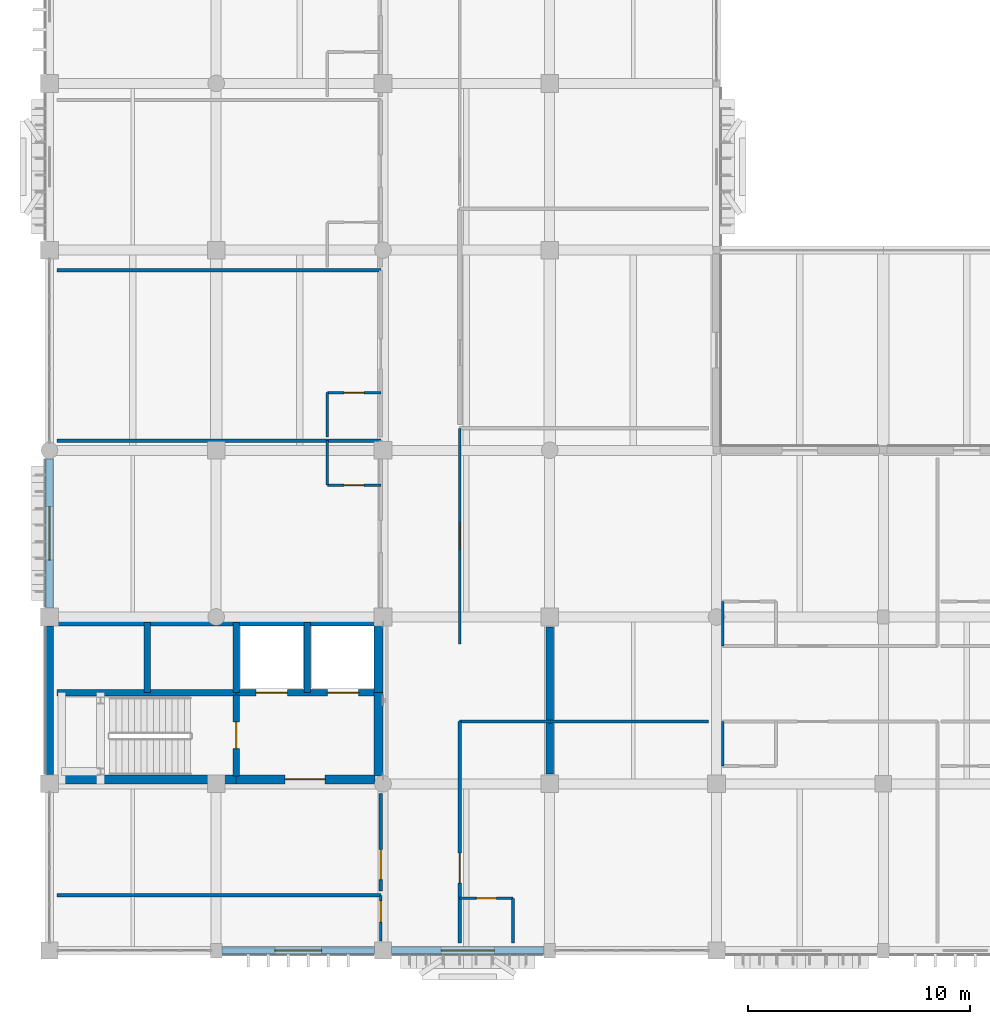
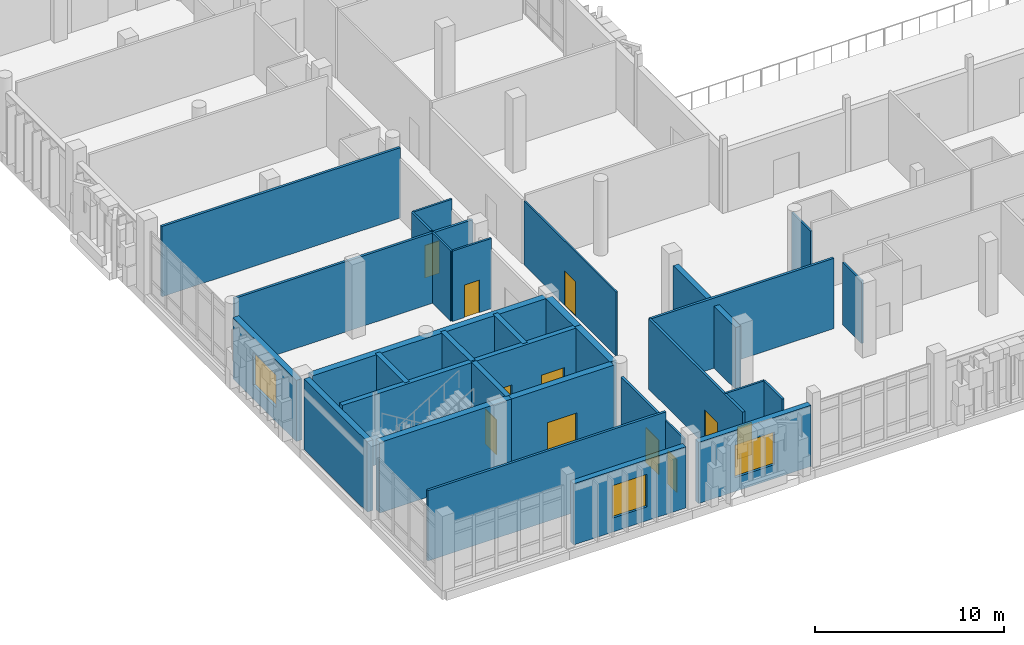
# One storey, part 98 of 131: 32 walls, 11 doors, 3 windows, 14 openings.
"""IFC4 building model written with IfcOpenShell, lengths in metres."""

from ifc_helpers import new_model, si_unit, direction, frame, frame_2d, origin, place, context, subcontext, project, spatial, rectangle, extrude, material, layer, layer_set, type_object, element, fill, save


model = new_model("IFC4")

# Units and contexts
model_context = context("Model", 3, precision=1e-05, world=origin(), true_north=direction((0.0, 1.0)))
body_context = subcontext(model_context, "Body", "Model", "MODEL_VIEW")
ifc_project = project(units=[si_unit("LENGTHUNIT", "METRE"), si_unit("AREAUNIT", "SQUARE_METRE"), si_unit("VOLUMEUNIT", "CUBIC_METRE"), si_unit("PLANEANGLEUNIT", "RADIAN"), si_unit("MASSUNIT", "GRAM", prefix="KILO")], contexts=[model_context])

# Site, building, storey
site_placement = place(None, origin())
site = spatial("IfcSite", under=ifc_project, at=site_placement, CompositionType="ELEMENT")
building_placement = place(site_placement, origin())
building = spatial("IfcBuilding", under=site, at=building_placement, Name="Dalvernix Boulevard General Hospital", CompositionType="ELEMENT")
storey_placement = place(building_placement, frame((0.0, 0.0, 9.300048828125)))
storey = spatial("IfcBuildingStorey", under=building, at=storey_placement, Name="L02", CompositionType="ELEMENT", Elevation=9.300048828125)

# Wall
ifc_material_1 = material(Name="Concrete C40/50", Category="concrete")
ifc_layer_1 = layer(ifc_material_1, 0.39990234375)
ifc_layer_set_1 = layer_set([ifc_layer_1], Name="Concrete C40/50 (WAL-CSW-01)")
wall_type_1 = type_object("IfcWallType", Name="WAL-CSW-01", PredefinedType="SHEAR", material=ifc_layer_set_1)
wall_1_placement = place(storey_placement, frame((0.35009765625, 7.699951171875, 0.0), z_axis=(0.0, 0.0, 1.0), x_axis=(1.0, 0.0, 0.0)))
element("IfcWall", 1, at=wall_1_placement, inside=storey, type_object=wall_type_1, Name="L02 C1 south stairwell wall", PredefinedType="SHEAR", context=body_context, shape_type="SweptSolid", body=[
    extrude(rectangle(XDim=8.0498046875, YDim=0.39990234375, at=frame_2d((4.02490234375, 0.0))), origin(), (0.0, 0.0, 1.0), 4.550048828125),
])

# Wall, opening, door
wall_2_placement = place(storey_placement, frame((8.39990234375, 7.699951171875, 0.0), z_axis=(0.0, 0.0, 1.0), x_axis=(1.0, 0.0, 0.0)))
wall_2 = element("IfcWall", 2, at=wall_2_placement, inside=storey, type_object=wall_type_1, Name="L02 C1 south firefighting lobby wall", PredefinedType="SHEAR", context=body_context, shape_type="SweptSolid", body=[
    extrude(rectangle(XDim=6.25, YDim=0.39990234375, at=frame_2d((3.125, 0.0))), origin(), (0.0, 0.0, 1.0), 4.550048828125),
])
opening_1_placement = place(wall_2_placement, frame((2.199951171875, 0.0, 0.0)))
opening_1 = element("IfcOpeningElement", 3, at=opening_1_placement, cuts=wall_2, Name="Opening FD-01", PredefinedType="OPENING", context=body_context, shape_type="SweptSolid", body=[
    extrude(rectangle(XDim=1.800048828125, YDim=2.25, at=frame_2d((0.89990234375, 1.125))), frame((0.0, 0.2099609375, 0.0), z_axis=(0.0, -1.0, 0.0), x_axis=(1.0, 0.0, 0.0)), (0.0, 0.0, 1.0), 0.419921875),
])
ifc_material_2 = material(Name="Hospital laminate acoustic timber and steel frame", Category="steel")
door_type_1 = type_object("IfcDoorType", Name="DR-FD-01", OperationType="DOUBLE_DOOR_SINGLE_SWING", PredefinedType="DOOR", material=ifc_material_2)
door_1_placement = place(opening_1_placement, origin())
door_1 = element("IfcDoor", 4, at=door_1_placement, inside=storey, type_object=door_type_1, Name="L02 C1 firefighting lobby door", OperationType="DOUBLE_DOOR_SINGLE_SWING", OverallHeight=2.25, OverallWidth=1.800048828125, PredefinedType="DOOR", context=body_context, shape_type="SweptSolid", body=[
    extrude(rectangle(XDim=1.800048828125, YDim=2.25, at=frame_2d((0.89990234375, 1.125))), frame((0.0, 0.02490234375, 0.0), z_axis=(0.0, -1.0, 0.0), x_axis=(1.0, 0.0, 0.0)), (0.0, 0.0, 1.0), 0.050048828125),
])
fill(opening_1, door_1)

# Walls
wall_3_placement = place(storey_placement, frame((0.35009765625, 14.800048828125, 0.0), z_axis=(0.0, 0.0, 1.0), x_axis=(1.0, 0.0, 0.0)))
element("IfcWall", 5, at=wall_3_placement, inside=storey, type_object=wall_type_1, Name="L02 C1 north shaft core wall", PredefinedType="SHEAR", context=body_context, shape_type="SweptSolid", body=[
    extrude(rectangle(XDim=14.2998046875, YDim=0.39990234375, at=frame_2d((7.14990234375, 0.0))), origin(), (0.0, 0.0, 1.0), 4.550048828125),
])
wall_4_placement = place(storey_placement, frame((14.800048828125, 7.85009765625, 0.0), z_axis=(0.0, 0.0, 1.0), x_axis=(0.0, 1.0, 0.0)))
element("IfcWall", 6, at=wall_4_placement, inside=storey, type_object=wall_type_1, Name="L02 C1 east lobby core wall", PredefinedType="SHEAR", context=body_context, shape_type="SweptSolid", body=[
    extrude(rectangle(XDim=3.75, YDim=0.39990234375, at=frame_2d((1.875, 0.0))), origin(), (0.0, 0.0, 1.0), 4.550048828125),
])
wall_5_placement = place(storey_placement, frame((14.800048828125, 11.60009765625, 0.0), z_axis=(0.0, 0.0, 1.0), x_axis=(0.0, 1.0, 0.0)))
element("IfcWall", 7, at=wall_5_placement, inside=storey, type_object=wall_type_1, Name="L02 C1 east shaft core wall", PredefinedType="SHEAR", context=body_context, shape_type="SweptSolid", body=[
    extrude(rectangle(XDim=3.0498046875, YDim=0.39990234375, at=frame_2d((1.52490234375, 0.0))), origin(), (0.0, 0.0, 1.0), 4.550048828125),
])
ifc_layer_2 = layer(ifc_material_1, 0.300048828125)
ifc_layer_set_2 = layer_set([ifc_layer_2], Name="Concrete C40/50 (WAL-CSW-02)")
wall_type_2 = type_object("IfcWallType", Name="WAL-CSW-02", PredefinedType="SHEAR", material=ifc_layer_set_2)
wall_6_placement = place(storey_placement, frame((0.35009765625, 11.60009765625, 0.0), z_axis=(0.0, 0.0, 1.0), x_axis=(1.0, 0.0, 0.0)))
element("IfcWall", 8, at=wall_6_placement, inside=storey, type_object=wall_type_2, Name="L02 C1 riser spine wall", PredefinedType="SHEAR", context=body_context, shape_type="SweptSolid", body=[
    extrude(rectangle(XDim=8.0498046875, YDim=0.300048828125, at=frame_2d((4.02490234375, 0.0))), origin(), (0.0, 0.0, 1.0), 4.550048828125),
])

# Wall, openings, doors
wall_7_placement = place(storey_placement, frame((8.39990234375, 11.60009765625, 0.0), z_axis=(0.0, 0.0, 1.0), x_axis=(1.0, 0.0, 0.0)))
wall_7 = element("IfcWall", 9, at=wall_7_placement, inside=storey, type_object=wall_type_2, Name="L02 C1 lift shaft front wall", PredefinedType="SHEAR", context=body_context, shape_type="SweptSolid", body=[
    extrude(rectangle(XDim=6.25, YDim=0.300048828125, at=frame_2d((3.125, 0.0))), origin(), (0.0, 0.0, 1.0), 4.550048828125),
])
opening_2_placement = place(wall_7_placement, frame((0.89990234375, 0.0, 0.0)))
opening_2 = element("IfcOpeningElement", 10, at=opening_2_placement, cuts=wall_7, Name="Opening LD-FFL-01-L02", PredefinedType="OPENING", context=body_context, shape_type="SweptSolid", body=[
    extrude(rectangle(XDim=1.39990234375, YDim=2.25, at=frame_2d((0.699951171875, 1.125))), frame((0.0, 0.159912109375, 0.0), z_axis=(0.0, -1.0, 0.0), x_axis=(1.0, 0.0, 0.0)), (0.0, 0.0, 1.0), 0.320068359375),
])
opening_3_placement = place(wall_7_placement, frame((4.10009765625, 0.0, 0.0)))
opening_3 = element("IfcOpeningElement", 11, at=opening_3_placement, cuts=wall_7, Name="Opening LD-FFL-02-L02", PredefinedType="OPENING", context=body_context, shape_type="SweptSolid", body=[
    extrude(rectangle(XDim=1.39990234375, YDim=2.25, at=frame_2d((0.699951171875, 1.125))), frame((0.0, 0.159912109375, 0.0), z_axis=(0.0, -1.0, 0.0), x_axis=(1.0, 0.0, 0.0)), (0.0, 0.0, 1.0), 0.320068359375),
])
ifc_material_3 = material(Name="Stainless-clad steel", Category="steel")
door_type_2 = type_object("IfcDoorType", Name="DR-LD-01", OperationType="DOUBLE_DOOR_SLIDING", PredefinedType="DOOR", material=ifc_material_3)
door_2_placement = place(opening_2_placement, origin())
door_2 = element("IfcDoor", 12, at=door_2_placement, inside=storey, type_object=door_type_2, Name="L02 Lift FFL-01 sliding landing door", OperationType="DOUBLE_DOOR_SLIDING", OverallHeight=2.25, OverallWidth=1.39990234375, PredefinedType="DOOR", context=body_context, shape_type="SweptSolid", body=[
    extrude(rectangle(XDim=1.39990234375, YDim=2.25, at=frame_2d((0.699951171875, 1.125))), frame((0.0, 0.02490234375, 0.0), z_axis=(0.0, -1.0, 0.0), x_axis=(1.0, 0.0, 0.0)), (0.0, 0.0, 1.0), 0.050048828125),
])
fill(opening_2, door_2)
door_3_placement = place(opening_3_placement, origin())
door_3 = element("IfcDoor", 13, at=door_3_placement, inside=storey, type_object=door_type_2, Name="L02 Lift FFL-02 sliding landing door", OperationType="DOUBLE_DOOR_SLIDING", OverallHeight=2.25, OverallWidth=1.39990234375, PredefinedType="DOOR", context=body_context, shape_type="SweptSolid", body=[
    extrude(rectangle(XDim=1.39990234375, YDim=2.25, at=frame_2d((0.699951171875, 1.125))), frame((0.0, 0.02490234375, 0.0), z_axis=(0.0, -1.0, 0.0), x_axis=(1.0, 0.0, 0.0)), (0.0, 0.0, 1.0), 0.050048828125),
])
fill(opening_3, door_3)

# Wall, opening, door
wall_8_placement = place(storey_placement, frame((8.39990234375, 11.5, 0.0), z_axis=(0.0, 0.0, 1.0), x_axis=(0.0, -1.0, 0.0)))
wall_8 = element("IfcWall", 14, at=wall_8_placement, inside=storey, type_object=wall_type_2, Name="L02 C1 stairwell fire wall", PredefinedType="SHEAR", context=body_context, shape_type="SweptSolid", body=[
    extrude(rectangle(XDim=3.64990234375, YDim=0.300048828125, at=frame_2d((1.824951171875, 0.0))), origin(), (0.0, 0.0, 1.0), 4.550048828125),
])
opening_4_placement = place(wall_8_placement, frame((1.219970703125, 0.0, 0.0)))
opening_4 = element("IfcOpeningElement", 15, at=opening_4_placement, cuts=wall_8, Name="Opening FD-02", PredefinedType="OPENING", context=body_context, shape_type="SweptSolid", body=[
    extrude(rectangle(XDim=1.199951171875, YDim=2.25, at=frame_2d((0.60009765625, 1.125))), frame((0.0, 0.159912109375, 0.0), z_axis=(0.0, -1.0, 0.0), x_axis=(1.0, 0.0, 0.0)), (0.0, 0.0, 1.0), 0.320068359375),
])
door_type_3 = type_object("IfcDoorType", Name="DR-FD-02", OperationType="NOTDEFINED", PredefinedType="DOOR", material=ifc_material_2)
door_4_placement = place(opening_4_placement, origin())
door_4 = element("IfcDoor", 16, at=door_4_placement, inside=storey, type_object=door_type_3, Name="L02 Stair ST-01 fire door", OperationType="SINGLE_SWING_RIGHT", OverallHeight=2.25, OverallWidth=1.199951171875, PredefinedType="DOOR", context=body_context, shape_type="SweptSolid", body=[
    extrude(rectangle(XDim=1.199951171875, YDim=2.25, at=frame_2d((0.60009765625, 1.125))), frame((0.0, 0.02490234375, 0.0), z_axis=(0.0, -1.0, 0.0), x_axis=(1.0, 0.0, 0.0)), (0.0, 0.0, 1.0), 0.050048828125),
])
fill(opening_4, door_4)

# Walls
for number, where, z_axis, x_axis, name in (
    (17, (4.39990234375, 11.60009765625, 0.0), (0.0, 0.0, 1.0), (0.0, 1.0, 0.0), "L02 C1 shaft divider R1"),
    (18, (8.39990234375, 11.60009765625, 0.0), (0.0, 0.0, 1.0), (0.0, 1.0, 0.0), "L02 C1 shaft divider R2"),
    (19, (11.60009765625, 11.60009765625, 0.0), (0.0, 0.0, 1.0), (0.0, 1.0, 0.0), "L02 C1 shaft divider L1"),
):
    element("IfcWall", number, at=place(storey_placement, frame(where, z_axis=z_axis, x_axis=x_axis)), inside=storey, type_object=wall_type_2, Name=name, PredefinedType="SHEAR", context=body_context, shape_type="SweptSolid", body=[
        extrude(rectangle(XDim=3.14990234375, YDim=0.300048828125, at=frame_2d((1.574951171875, 0.0))), origin(), (0.0, 0.0, 1.0), 4.550048828125),
    ])
ifc_layer_3 = layer(ifc_material_1, 0.35009765625)
ifc_layer_set_3 = layer_set([ifc_layer_3], Name="Concrete C40/50 (WAL-ESW-01)")
wall_type_3 = type_object("IfcWallType", Name="WAL-ESW-01", PredefinedType="SHEAR", material=ifc_layer_set_3)
wall_9_placement = place(storey_placement, frame((0.0, 7.909912109375, 0.0), z_axis=(0.0, 0.0, 1.0), x_axis=(0.0, 1.0, 0.0)))
element("IfcWall", 20, at=wall_9_placement, inside=storey, type_object=wall_type_3, Name="L02 core perimeter shear wall W 0-1", PredefinedType="SHEAR", context=body_context, shape_type="SweptSolid", body=[
    extrude(rectangle(XDim=6.68017578125, YDim=0.35009765625, at=frame_2d((3.340087890625, 0.0))), origin(), (0.0, 0.0, 1.0), 4.550048828125),
])
ifc_layer_4 = layer(ifc_material_1, 0.320068359375)
ifc_layer_set_4 = layer_set([ifc_layer_4], Name="Concrete C40/50 (WAL-ESW-02)")
wall_type_4 = type_object("IfcWallType", Name="WAL-ESW-02", PredefinedType="SHEAR", material=ifc_layer_set_4)
wall_10_placement = place(storey_placement, frame((22.5, 7.949951171875, 0.0), z_axis=(0.0, 0.0, 1.0), x_axis=(0.0, 1.0, 0.0)))
element("IfcWall", 21, at=wall_10_placement, inside=storey, type_object=wall_type_4, Name="L02 reinforced concrete shear wall 1", PredefinedType="SHEAR", context=body_context, shape_type="SweptSolid", body=[
    extrude(rectangle(XDim=6.60009765625, YDim=0.320068359375, at=frame_2d((3.300048828125, 0.0))), origin(), (0.0, 0.0, 1.0), 4.0),
])

# Wall, opening, window
ifc_material_4 = material(Name="Pressed Catalan clay brick and insulated concrete cavity wall C35/45", Category="masonry")
ifc_layer_5 = layer(ifc_material_4, 0.35009765625)
ifc_layer_set_5 = layer_set([ifc_layer_5], Name="Pressed Catalan clay brick and insulated concrete cavity wall C35/45 (WAL-EW-01)")
wall_type_5 = type_object("IfcWallType", Name="WAL-EW-01", PredefinedType="STANDARD", material=ifc_layer_set_5)
wall_11_placement = place(storey_placement, frame((0.0, 15.409912109375, 0.0), z_axis=(0.0, 0.0, 1.0), x_axis=(0.0, 1.0, 0.0)))
wall_11 = element("IfcWall", 22, at=wall_11_placement, inside=storey, type_object=wall_type_5, Name="L02 Catalan brick external wall W 0-2", PredefinedType="STANDARD", context=body_context, shape_type="SweptSolid", body=[
    extrude(rectangle(XDim=6.705078125, YDim=0.35009765625, at=frame_2d((3.3525390625, 0.0))), origin(), (0.0, 0.0, 1.0), 3.949951171875),
])
opening_5_placement = place(wall_11_placement, frame((2.152587890625, 0.0, 0.89990234375)))
opening_5 = element("IfcOpeningElement", 23, at=opening_5_placement, cuts=wall_11, Name="Opening WN-09", PredefinedType="OPENING", context=body_context, shape_type="SweptSolid", body=[
    extrude(rectangle(XDim=2.39990234375, YDim=2.10009765625, at=frame_2d((1.199951171875, 1.050048828125))), frame((0.0, 0.18505859375, 0.0), z_axis=(0.0, -1.0, 0.0), x_axis=(1.0, 0.0, 0.0)), (0.0, 0.0, 1.0), 0.3701171875),
])
ifc_material_5 = material(Name="Thermally broken aluminium frame with solar-control double glazing", Category="aluminium")
window_type_1 = type_object("IfcWindowType", Name="WIN-WN-09", PartitioningType="SINGLE_PANEL", PredefinedType="WINDOW", material=ifc_material_5)
window_1_placement = place(opening_5_placement, origin())
window_1 = element("IfcWindow", 24, at=window_1_placement, inside=storey, type_object=window_type_1, Name="L02 clinical window WN-09 W 0-2", OverallHeight=2.10009765625, OverallWidth=2.39990234375, PartitioningType="SINGLE_PANEL", PredefinedType="WINDOW", context=body_context, shape_type="SweptSolid", body=[
    extrude(rectangle(XDim=2.39990234375, YDim=2.10009765625, at=frame_2d((1.199951171875, 1.050048828125))), frame((0.0, 0.030029296875, 0.0), z_axis=(0.0, -1.0, 0.0), x_axis=(1.0, 0.0, 0.0)), (0.0, 0.0, 1.0), 0.06005859375),
])
fill(opening_5, window_1)

wall_12_placement = place(storey_placement, frame((14.614990234375, 0.0, 0.0), z_axis=(0.0, 0.0, 1.0), x_axis=(-1.0, 0.0, 0.0)))
wall_12 = element("IfcWall", 25, at=wall_12_placement, inside=storey, type_object=wall_type_5, Name="L02 Catalan brick external wall S 1-0", PredefinedType="STANDARD", context=body_context, shape_type="SweptSolid", body=[
    extrude(rectangle(XDim=6.85498046875, YDim=0.35009765625, at=frame_2d((3.427490234375, 0.0))), origin(), (0.0, 0.0, 1.0), 3.949951171875),
])
opening_6_placement = place(wall_12_placement, frame((2.37744140625, 0.0, 0.89990234375)))
opening_6 = element("IfcOpeningElement", 26, at=opening_6_placement, cuts=wall_12, Name="Opening WN-08", PredefinedType="OPENING", context=body_context, shape_type="SweptSolid", body=[
    extrude(rectangle(XDim=2.10009765625, YDim=2.10009765625, at=frame_2d((1.050048828125, 1.050048828125))), frame((0.0, 0.18505859375, 0.0), z_axis=(0.0, -1.0, 0.0), x_axis=(1.0, 0.0, 0.0)), (0.0, 0.0, 1.0), 0.3701171875),
])
window_type_2 = type_object("IfcWindowType", Name="WIN-WN-08", PartitioningType="SINGLE_PANEL", PredefinedType="WINDOW", material=ifc_material_5)
window_2_placement = place(opening_6_placement, origin())
window_2 = element("IfcWindow", 27, at=window_2_placement, inside=storey, type_object=window_type_2, Name="L02 clinical window WN-08 S 1-0", OverallHeight=2.10009765625, OverallWidth=2.10009765625, PartitioningType="SINGLE_PANEL", PredefinedType="WINDOW", context=body_context, shape_type="SweptSolid", body=[
    extrude(rectangle(XDim=2.10009765625, YDim=2.10009765625, at=frame_2d((1.050048828125, 1.050048828125))), frame((0.0, 0.030029296875, 0.0), z_axis=(0.0, -1.0, 0.0), x_axis=(1.0, 0.0, 0.0)), (0.0, 0.0, 1.0), 0.06005859375),
])
fill(opening_6, window_2)

wall_13_placement = place(storey_placement, frame((22.239990234375, 0.0, 0.0), z_axis=(0.0, 0.0, 1.0), x_axis=(-1.0, 0.0, 0.0)))
wall_13 = element("IfcWall", 28, at=wall_13_placement, inside=storey, type_object=wall_type_5, Name="L02 Catalan brick external wall S 2-0", PredefinedType="STANDARD", context=body_context, shape_type="SweptSolid", body=[
    extrude(rectangle(XDim=6.85498046875, YDim=0.35009765625, at=frame_2d((3.427490234375, 0.0))), origin(), (0.0, 0.0, 1.0), 3.949951171875),
])
opening_7_placement = place(wall_13_placement, frame((2.2275390625, 0.0, 0.89990234375)))
opening_7 = element("IfcOpeningElement", 29, at=opening_7_placement, cuts=wall_13, Name="Opening WN-09", PredefinedType="OPENING", context=body_context, shape_type="SweptSolid", body=[
    extrude(rectangle(XDim=2.39990234375, YDim=2.10009765625, at=frame_2d((1.199951171875, 1.050048828125))), frame((0.0, 0.18505859375, 0.0), z_axis=(0.0, -1.0, 0.0), x_axis=(1.0, 0.0, 0.0)), (0.0, 0.0, 1.0), 0.3701171875),
])
window_3_placement = place(opening_7_placement, origin())
window_3 = element("IfcWindow", 30, at=window_3_placement, inside=storey, type_object=window_type_1, Name="L02 clinical window WN-09 S 2-0", OverallHeight=2.10009765625, OverallWidth=2.39990234375, PartitioningType="SINGLE_PANEL", PredefinedType="WINDOW", context=body_context, shape_type="SweptSolid", body=[
    extrude(rectangle(XDim=2.39990234375, YDim=2.10009765625, at=frame_2d((1.199951171875, 1.050048828125))), frame((0.0, 0.030029296875, 0.0), z_axis=(0.0, -1.0, 0.0), x_axis=(1.0, 0.0, 0.0)), (0.0, 0.0, 1.0), 0.06005859375),
])
fill(opening_7, window_3)

# Wall, opening, door
ifc_material_6 = material(Name="Acoustic double-stud gypsum inpatient partition")
ifc_layer_6 = layer(ifc_material_6, 0.14990234375)
ifc_layer_set_6 = layer_set([ifc_layer_6], Name="Acoustic double-stud gypsum inpatient partition (WAL-IW-04)")
wall_type_6 = type_object("IfcWallType", Name="WAL-IW-04", PredefinedType="PARTITIONING", material=ifc_layer_set_6)
wall_14_placement = place(storey_placement, frame((14.89990234375, 2.679931640625, 0.0), z_axis=(0.0, 0.0, 1.0), x_axis=(0.0, 1.0, 0.0)))
wall_14 = element("IfcWall", 31, at=wall_14_placement, inside=storey, type_object=wall_type_6, Name="L02 On-Call Duty Room L02 corridor wall", PredefinedType="PARTITIONING", context=body_context, shape_type="SweptSolid", body=[
    extrude(rectangle(XDim=4.39013671875, YDim=0.14990234375, at=frame_2d((2.195068359375, 0.0))), origin(), (0.0, 0.0, 1.0), 3.98486328125),
])
opening_8_placement = place(wall_14_placement, frame((0.50390625, 0.0, 0.0)))
opening_8 = element("IfcOpeningElement", 32, at=opening_8_placement, cuts=wall_14, Name="Opening ID-01", PredefinedType="OPENING", context=body_context, shape_type="SweptSolid", body=[
    extrude(rectangle(XDim=1.35009765625, YDim=2.25, at=frame_2d((0.675048828125, 1.125))), frame((0.0, 0.0849609375, 0.0), z_axis=(0.0, -1.0, 0.0), x_axis=(1.0, 0.0, 0.0)), (0.0, 0.0, 1.0), 0.169921875),
])
door_type_4 = type_object("IfcDoorType", Name="DR-ID-01", OperationType="NOTDEFINED", PredefinedType="DOOR", material=ifc_material_2)
door_5_placement = place(opening_8_placement, origin())
door_5 = element("IfcDoor", 33, at=door_5_placement, inside=storey, type_object=door_type_4, Name="L02 On-Call Duty Room L02 door", OperationType="SINGLE_SWING_RIGHT", OverallHeight=2.25, OverallWidth=1.35009765625, PredefinedType="DOOR", context=body_context, shape_type="SweptSolid", body=[
    extrude(rectangle(XDim=1.35009765625, YDim=2.25, at=frame_2d((0.675048828125, 1.125))), frame((0.0, 0.02490234375, 0.0), z_axis=(0.0, -1.0, 0.0), x_axis=(1.0, 0.0, 0.0)), (0.0, 0.0, 1.0), 0.050048828125),
])
fill(opening_8, door_5)

wall_15_placement = place(storey_placement, frame((18.449951171875, 10.300048828125, 0.0), z_axis=(0.0, 0.0, 1.0), x_axis=(0.0, -1.0, 0.0)))
wall_15 = element("IfcWall", 34, at=wall_15_placement, inside=storey, type_object=wall_type_6, Name="L02 Single Patient Room L02-ES0 corridor wall", PredefinedType="PARTITIONING", context=body_context, shape_type="SweptSolid", body=[
    extrude(rectangle(XDim=9.949951171875, YDim=0.14990234375, at=frame_2d((4.97509765625, 0.0))), origin(), (0.0, 0.0, 1.0), 4.534912109375),
])
opening_9_placement = place(wall_15_placement, frame((5.919921875, 0.0, 0.0)))
opening_9 = element("IfcOpeningElement", 35, at=opening_9_placement, cuts=wall_15, Name="Opening ID-01", PredefinedType="OPENING", context=body_context, shape_type="SweptSolid", body=[
    extrude(rectangle(XDim=1.35009765625, YDim=2.25, at=frame_2d((0.675048828125, 1.125))), frame((0.0, 0.0849609375, 0.0), z_axis=(0.0, -1.0, 0.0), x_axis=(1.0, 0.0, 0.0)), (0.0, 0.0, 1.0), 0.169921875),
])
door_6_placement = place(opening_9_placement, origin())
door_6 = element("IfcDoor", 36, at=door_6_placement, inside=storey, type_object=door_type_4, Name="L02 Single Patient Room L02-ES0 door", OperationType="SINGLE_SWING_LEFT", OverallHeight=2.25, OverallWidth=1.35009765625, PredefinedType="DOOR", context=body_context, shape_type="SweptSolid", body=[
    extrude(rectangle(XDim=1.35009765625, YDim=2.25, at=frame_2d((0.675048828125, 1.125))), frame((0.0, 0.02490234375, 0.0), z_axis=(0.0, -1.0, 0.0), x_axis=(1.0, 0.0, 0.0)), (0.0, 0.0, 1.0), 0.050048828125),
])
fill(opening_9, door_6)

# Walls
for number, where, z_axis, x_axis, name in (
    (37, (0.35009765625, 2.47998046875, 0.0), (0.0, 0.0, 1.0), (1.0, 0.0, 0.0), "L02 Accessible Public WC L02 West partition"),
    (38, (0.35009765625, 22.929931640625, 0.0), (0.0, 0.0, 1.0), (1.0, 0.0, 0.0), "L02 Four Bed Observation Ward L02-W02 partition"),
    (39, (0.35009765625, 30.590087890625, 0.0), (0.0, 0.0, 1.0), (1.0, 0.0, 0.0), "L02 Acute Observation Patient Room L02-W03 partition"),
):
    element("IfcWall", number, at=place(storey_placement, frame(where, z_axis=z_axis, x_axis=x_axis)), inside=storey, type_object=wall_type_6, Name=name, PredefinedType="PARTITIONING", context=body_context, shape_type="SweptSolid", body=[
        extrude(rectangle(XDim=14.5498046875, YDim=0.14990234375, at=frame_2d((7.27490234375, 0.0))), origin(), (0.0, 0.0, 1.0), 4.534912109375),
    ])
wall_16_placement = place(storey_placement, frame((18.449951171875, 10.300048828125, 0.0), z_axis=(0.0, 0.0, 1.0), x_axis=(1.0, 0.0, 0.0)))
element("IfcWall", 40, at=wall_16_placement, inside=storey, type_object=wall_type_6, Name="L02 Single Patient Room L02-ES0 partition", PredefinedType="PARTITIONING", context=body_context, shape_type="SweptSolid", body=[
    extrude(rectangle(XDim=11.199951171875, YDim=0.14990234375, at=frame_2d((5.60009765625, 0.0))), origin(), (0.0, 0.0, 1.0), 4.534912109375),
])

# Wall, opening, door
ifc_material_7 = material(Name="Moisture-resistant en-suite bathroom partition")
ifc_layer_7 = layer(ifc_material_7, 0.1201171875)
ifc_layer_set_7 = layer_set([ifc_layer_7], Name="Moisture-resistant en-suite bathroom partition (WAL-IW-05)")
wall_type_7 = type_object("IfcWallType", Name="WAL-IW-05", PredefinedType="PARTITIONING", material=ifc_layer_set_7)
wall_17_placement = place(storey_placement, frame((12.5, 20.929931640625, 0.0), z_axis=(0.0, 0.0, 1.0), x_axis=(1.0, 0.0, 0.0)))
wall_17 = element("IfcWall", 41, at=wall_17_placement, inside=storey, type_object=wall_type_7, Name="L02 en-suite bathroom door wall", PredefinedType="PARTITIONING", context=body_context, shape_type="SweptSolid", body=[
    extrude(rectangle(XDim=2.39990234375, YDim=0.1201171875, at=frame_2d((1.199951171875, 0.0))), origin(), (0.0, 0.0, 1.0), 4.534912109375),
])
opening_10_placement = place(wall_17_placement, frame((0.75, 0.0, 0.0)))
opening_10 = element("IfcOpeningElement", 42, at=opening_10_placement, cuts=wall_17, Name="Opening ID-05", PredefinedType="OPENING", context=body_context, shape_type="SweptSolid", body=[
    extrude(rectangle(XDim=0.89990234375, YDim=2.10009765625, at=frame_2d((0.449951171875, 1.050048828125))), frame((0.0, 0.070068359375, 0.0), z_axis=(0.0, -1.0, 0.0), x_axis=(1.0, 0.0, 0.0)), (0.0, 0.0, 1.0), 0.14013671875),
])
door_type_5 = type_object("IfcDoorType", Name="DR-ID-05", OperationType="NOTDEFINED", PredefinedType="DOOR", material=ifc_material_2)
door_7_placement = place(opening_10_placement, origin())
door_7 = element("IfcDoor", 43, at=door_7_placement, inside=storey, type_object=door_type_5, Name="L02 L02-WRD-W02 en-suite bathroom door", OperationType="SINGLE_SWING_RIGHT", OverallHeight=2.10009765625, OverallWidth=0.89990234375, PredefinedType="DOOR", context=body_context, shape_type="SweptSolid", body=[
    extrude(rectangle(XDim=0.89990234375, YDim=2.10009765625, at=frame_2d((0.449951171875, 1.050048828125))), frame((0.0, 0.02490234375, 0.0), z_axis=(0.0, -1.0, 0.0), x_axis=(1.0, 0.0, 0.0)), (0.0, 0.0, 1.0), 0.050048828125),
])
fill(opening_10, door_7)

# Wall
wall_18_placement = place(storey_placement, frame((12.5, 20.929931640625, 0.0), z_axis=(0.0, 0.0, 1.0), x_axis=(0.0, 1.0, 0.0)))
element("IfcWall", 44, at=wall_18_placement, inside=storey, type_object=wall_type_7, Name="L02 en-suite bathroom side wall", PredefinedType="PARTITIONING", context=body_context, shape_type="SweptSolid", body=[
    extrude(rectangle(XDim=2.0, YDim=0.1201171875, at=frame_2d((1.0, 0.0))), origin(), (0.0, 0.0, 1.0), 4.534912109375),
])

# Wall, opening, door
wall_19_placement = place(storey_placement, frame((14.89990234375, 25.090087890625, 0.0), z_axis=(0.0, 0.0, 1.0), x_axis=(-1.0, 0.0, 0.0)))
wall_19 = element("IfcWall", 45, at=wall_19_placement, inside=storey, type_object=wall_type_7, Name="L02 en-suite bathroom door wall", PredefinedType="PARTITIONING", context=body_context, shape_type="SweptSolid", body=[
    extrude(rectangle(XDim=2.39990234375, YDim=0.1201171875, at=frame_2d((1.199951171875, 0.0))), origin(), (0.0, 0.0, 1.0), 4.534912109375),
])
opening_11_placement = place(wall_19_placement, frame((0.75, 0.0, 0.0)))
opening_11 = element("IfcOpeningElement", 46, at=opening_11_placement, cuts=wall_19, Name="Opening ID-05", PredefinedType="OPENING", context=body_context, shape_type="SweptSolid", body=[
    extrude(rectangle(XDim=0.89990234375, YDim=2.10009765625, at=frame_2d((0.449951171875, 1.050048828125))), frame((0.0, 0.070068359375, 0.0), z_axis=(0.0, -1.0, 0.0), x_axis=(1.0, 0.0, 0.0)), (0.0, 0.0, 1.0), 0.14013671875),
])
door_8_placement = place(opening_11_placement, origin())
door_8 = element("IfcDoor", 47, at=door_8_placement, inside=storey, type_object=door_type_5, Name="L02 L02-WRD-W03 en-suite bathroom door", OperationType="SINGLE_SWING_RIGHT", OverallHeight=2.10009765625, OverallWidth=0.89990234375, PredefinedType="DOOR", context=body_context, shape_type="SweptSolid", body=[
    extrude(rectangle(XDim=0.89990234375, YDim=2.10009765625, at=frame_2d((0.449951171875, 1.050048828125))), frame((0.0, 0.02490234375, 0.0), z_axis=(0.0, -1.0, 0.0), x_axis=(1.0, 0.0, 0.0)), (0.0, 0.0, 1.0), 0.050048828125),
])
fill(opening_11, door_8)

# Wall
wall_20_placement = place(storey_placement, frame((12.5, 23.090087890625, 0.0), z_axis=(0.0, 0.0, 1.0), x_axis=(0.0, 1.0, 0.0)))
element("IfcWall", 48, at=wall_20_placement, inside=storey, type_object=wall_type_7, Name="L02 en-suite bathroom side wall", PredefinedType="PARTITIONING", context=body_context, shape_type="SweptSolid", body=[
    extrude(rectangle(XDim=2.0, YDim=0.1201171875, at=frame_2d((1.0, 0.0))), origin(), (0.0, 0.0, 1.0), 4.534912109375),
])

# Wall, opening, door
wall_21_placement = place(storey_placement, frame((20.85009765625, 2.35009765625, 0.0), z_axis=(0.0, 0.0, 1.0), x_axis=(-1.0, 0.0, 0.0)))
wall_21 = element("IfcWall", 49, at=wall_21_placement, inside=storey, type_object=wall_type_7, Name="L02 en-suite bathroom door wall", PredefinedType="PARTITIONING", context=body_context, shape_type="SweptSolid", body=[
    extrude(rectangle(XDim=2.400146484375, YDim=0.1201171875, at=frame_2d((1.2001953125, 0.0))), origin(), (0.0, 0.0, 1.0), 4.534912109375),
])
opening_12_placement = place(wall_21_placement, frame((0.75, 0.0, 0.0)))
opening_12 = element("IfcOpeningElement", 50, at=opening_12_placement, cuts=wall_21, Name="Opening ID-05", PredefinedType="OPENING", context=body_context, shape_type="SweptSolid", body=[
    extrude(rectangle(XDim=0.89990234375, YDim=2.10009765625, at=frame_2d((0.449951171875, 1.050048828125))), frame((0.0, 0.070068359375, 0.0), z_axis=(0.0, -1.0, 0.0), x_axis=(1.0, 0.0, 0.0)), (0.0, 0.0, 1.0), 0.14013671875),
])
door_9_placement = place(opening_12_placement, origin())
door_9 = element("IfcDoor", 51, at=door_9_placement, inside=storey, type_object=door_type_5, Name="L02 L02-RM-ES0 en-suite bathroom door", OperationType="SINGLE_SWING_RIGHT", OverallHeight=2.10009765625, OverallWidth=0.89990234375, PredefinedType="DOOR", context=body_context, shape_type="SweptSolid", body=[
    extrude(rectangle(XDim=0.89990234375, YDim=2.10009765625, at=frame_2d((0.449951171875, 1.050048828125))), frame((0.0, 0.02490234375, 0.0), z_axis=(0.0, -1.0, 0.0), x_axis=(1.0, 0.0, 0.0)), (0.0, 0.0, 1.0), 0.050048828125),
])
fill(opening_12, door_9)

# Walls
wall_22_placement = place(storey_placement, frame((20.85009765625, 0.35009765625, 0.0), z_axis=(0.0, 0.0, 1.0), x_axis=(0.0, 1.0, 0.0)))
element("IfcWall", 52, at=wall_22_placement, inside=storey, type_object=wall_type_7, Name="L02 en-suite bathroom side wall", PredefinedType="PARTITIONING", context=body_context, shape_type="SweptSolid", body=[
    extrude(rectangle(XDim=2.0, YDim=0.1201171875, at=frame_2d((1.0, 0.0))), origin(), (0.0, 0.0, 1.0), 4.534912109375),
])
wall_23_placement = place(storey_placement, frame((30.280029296875, 8.300048828125, 0.0), z_axis=(0.0, 0.0, 1.0), x_axis=(0.0, 1.0, 0.0)))
element("IfcWall", 53, at=wall_23_placement, inside=storey, type_object=wall_type_7, Name="L02 En-suite Bathroom SW-S1 enclosure wall W", PredefinedType="PARTITIONING", context=body_context, shape_type="SweptSolid", body=[
    extrude(rectangle(XDim=2.0, YDim=0.1201171875, at=frame_2d((1.0, 0.0))), origin(), (0.0, 0.0, 1.0), 4.034912109375),
])
wall_24_placement = place(storey_placement, frame((30.280029296875, 13.699951171875, 0.0), z_axis=(0.0, 0.0, 1.0), x_axis=(0.0, 1.0, 0.0)))
element("IfcWall", 54, at=wall_24_placement, inside=storey, type_object=wall_type_7, Name="L02 En-suite Bathroom SW-N1 enclosure wall W", PredefinedType="PARTITIONING", context=body_context, shape_type="SweptSolid", body=[
    extrude(rectangle(XDim=2.0, YDim=0.1201171875, at=frame_2d((1.0, 0.0))), origin(), (0.0, 0.0, 1.0), 3.98486328125),
])

# Wall, opening, door
ifc_material_8 = material(Name="Fire-resisting clinical sub-partition")
ifc_layer_8 = layer(ifc_material_8, 0.10009765625)
ifc_layer_set_8 = layer_set([ifc_layer_8], Name="Fire-resisting clinical sub-partition (WAL-IW-06)")
wall_type_8 = type_object("IfcWallType", Name="WAL-IW-06", PredefinedType="PARTITIONING", material=ifc_layer_set_8)
wall_25_placement = place(storey_placement, frame((14.89990234375, 0.429931640625, 0.0), z_axis=(0.0, 0.0, 1.0), x_axis=(0.0, 1.0, 0.0)))
wall_25 = element("IfcWall", 55, at=wall_25_placement, inside=storey, type_object=wall_type_8, Name="L02 Accessible Public WC L02 West corridor wall", PredefinedType="PARTITIONING", context=body_context, shape_type="SweptSolid", body=[
    extrude(rectangle(XDim=2.050048828125, YDim=0.10009765625, at=frame_2d((1.02490234375, 0.0))), origin(), (0.0, 0.0, 1.0), 3.98486328125),
])
opening_13_placement = place(wall_25_placement, frame((0.85009765625, 0.0, 0.0)))
opening_13 = element("IfcOpeningElement", 56, at=opening_13_placement, cuts=wall_25, Name="Opening ID-06", PredefinedType="OPENING", context=body_context, shape_type="SweptSolid", body=[
    extrude(rectangle(XDim=0.949951171875, YDim=2.14990234375, at=frame_2d((0.47509765625, 1.074951171875))), frame((0.0, 0.06005859375, 0.0), z_axis=(0.0, -1.0, 0.0), x_axis=(1.0, 0.0, 0.0)), (0.0, 0.0, 1.0), 0.1201171875),
])
door_type_6 = type_object("IfcDoorType", Name="DR-ID-06", OperationType="NOTDEFINED", PredefinedType="DOOR", material=ifc_material_2)
door_10_placement = place(opening_13_placement, origin())
door_10 = element("IfcDoor", 57, at=door_10_placement, inside=storey, type_object=door_type_6, Name="L02 Accessible Public WC L02 West door", OperationType="SINGLE_SWING_LEFT", OverallHeight=2.14990234375, OverallWidth=0.949951171875, PredefinedType="DOOR", context=body_context, shape_type="SweptSolid", body=[
    extrude(rectangle(XDim=0.949951171875, YDim=2.14990234375, at=frame_2d((0.47509765625, 1.074951171875))), frame((0.0, 0.02490234375, 0.0), z_axis=(0.0, -1.0, 0.0), x_axis=(1.0, 0.0, 0.0)), (0.0, 0.0, 1.0), 0.050048828125),
])
fill(opening_13, door_10)

wall_26_placement = place(storey_placement, frame((18.449951171875, 23.48876953125, 0.0), z_axis=(0.0, 0.0, 1.0), x_axis=(0.0, -1.0, 0.0)))
wall_26 = element("IfcWall", 58, at=wall_26_placement, inside=storey, type_object=wall_type_8, Name="L02 Ward Nurse Station and Medication Prep L02 corridor wall", PredefinedType="PARTITIONING", context=body_context, shape_type="SweptSolid", body=[
    extrude(rectangle(XDim=9.708740234375, YDim=0.10009765625, at=frame_2d((4.8544921875, 0.0))), origin(), (0.0, 0.0, 1.0), 4.135009765625),
])
opening_14_placement = place(wall_26_placement, frame((4.279296875, 0.0, 0.0)))
opening_14 = element("IfcOpeningElement", 59, at=opening_14_placement, cuts=wall_26, Name="Opening ID-08", PredefinedType="OPENING", context=body_context, shape_type="SweptSolid", body=[
    extrude(rectangle(XDim=1.14990234375, YDim=2.199951171875, at=frame_2d((0.574951171875, 1.10009765625))), frame((0.0, 0.06005859375, 0.0), z_axis=(0.0, -1.0, 0.0), x_axis=(1.0, 0.0, 0.0)), (0.0, 0.0, 1.0), 0.1201171875),
])
door_type_7 = type_object("IfcDoorType", Name="DR-ID-08", OperationType="NOTDEFINED", PredefinedType="DOOR", material=ifc_material_2)
door_11_placement = place(opening_14_placement, origin())
door_11 = element("IfcDoor", 60, at=door_11_placement, inside=storey, type_object=door_type_7, Name="L02 Ward Nurse Station and Medication Prep L02 door", OperationType="SINGLE_SWING_LEFT", OverallHeight=2.199951171875, OverallWidth=1.14990234375, PredefinedType="DOOR", context=body_context, shape_type="SweptSolid", body=[
    extrude(rectangle(XDim=1.14990234375, YDim=2.199951171875, at=frame_2d((0.574951171875, 1.10009765625))), frame((0.0, 0.02490234375, 0.0), z_axis=(0.0, -1.0, 0.0), x_axis=(1.0, 0.0, 0.0)), (0.0, 0.0, 1.0), 0.050048828125),
])
fill(opening_14, door_11)

save(model, "model.ifc")
